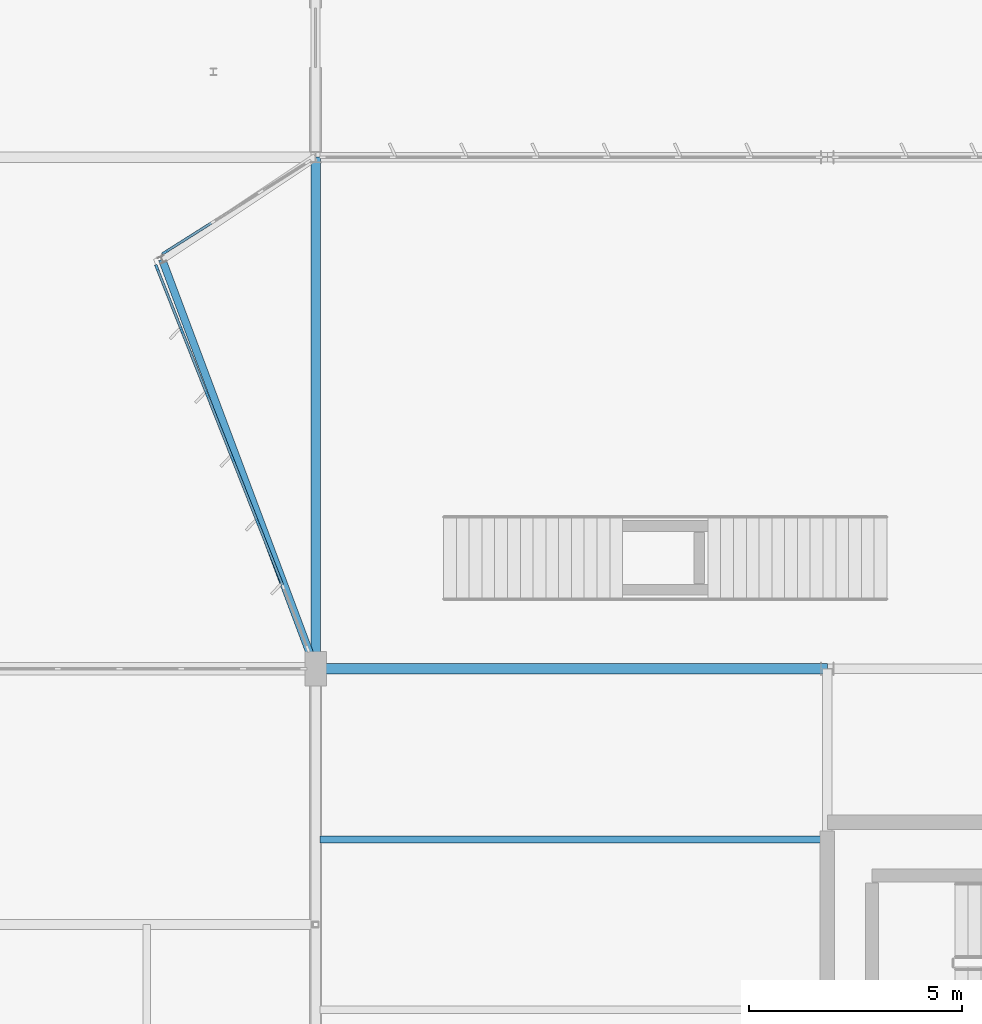
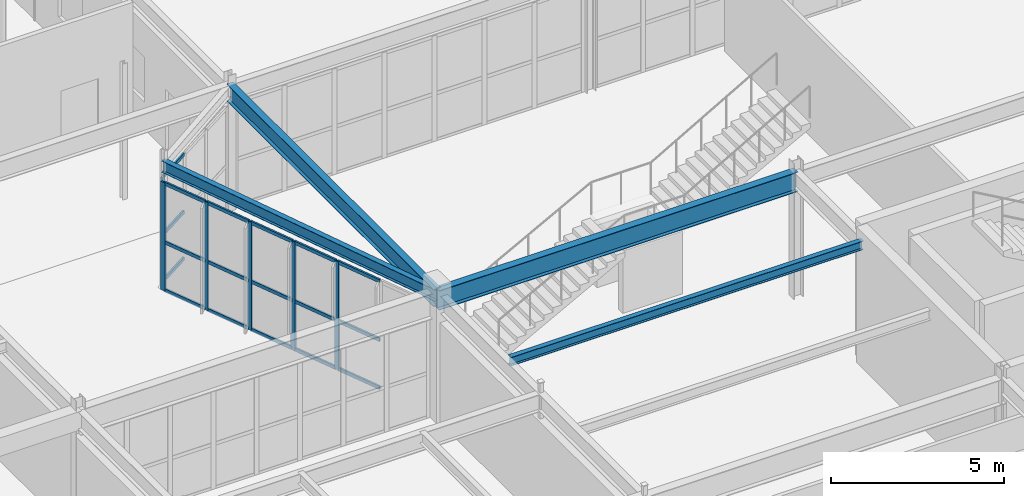
# One storey, part 93 of 199: 24 members, 4 beams, 2 elements without a shape of their own.
"""IFC4 building model written with IfcOpenShell, lengths in metres."""

from ifc_helpers import new_model, si_unit, direction, frame, origin, origin_2d, place, context, subcontext, project, spatial, rectangle, i_section, extrude, material, layer, layer_set, material_profile, profile_set, type_object, element, aggregate, save


model = new_model("IFC4")

# Units and contexts
model_context = context("Model", 3, precision=1e-05, world=origin(), true_north=direction((0.0, 1.0)))
body_context = subcontext(model_context, "Body", "Model", "MODEL_VIEW")
ifc_project = project(units=[si_unit("LENGTHUNIT", "METRE"), si_unit("AREAUNIT", "SQUARE_METRE"), si_unit("VOLUMEUNIT", "CUBIC_METRE"), si_unit("PLANEANGLEUNIT", "RADIAN"), si_unit("MASSUNIT", "GRAM", prefix="KILO")], contexts=[model_context])

# Site, building, storey
site_placement = place(None, origin())
site = spatial("IfcSite", under=ifc_project, at=site_placement, CompositionType="ELEMENT")
building_placement = place(site_placement, origin())
building = spatial("IfcBuilding", under=site, at=building_placement, Name="Tarnwether General Hospital", CompositionType="ELEMENT")
storey_placement = place(building_placement, origin())
storey = spatial("IfcBuildingStorey", under=building, at=storey_placement, Name="L00", CompositionType="ELEMENT", Elevation=0.0)

# Beams
ifc_material_1 = material(Name="Steel Grade 350 (350 MPa)", Category="steel")
ifc_material_profile_1 = material_profile(ifc_material_1, i_section(OverallWidth=0.25, OverallDepth=0.69189453125, WebThickness=0.009033203125, FlangeThickness=0.01611328125, at=origin_2d()), Name="700WB115")
ifc_profile_set_1 = profile_set([ifc_material_profile_1], Name="Steel Grade 350 (350 MPa)")
beam_type_1 = type_object("IfcBeamType", Name="BM-G02", PredefinedType="BEAM", material=ifc_profile_set_1)
beam_1_placement = place(storey_placement, frame((144.0, 33.60009765625, 4.09912109375), z_axis=(1.0, 0.0, 0.0), x_axis=(0.0, 1.0, 0.0)))
element("IfcBeam", 1, at=beam_1_placement, inside=storey, type_object=beam_type_1, Name="Primary Girder BMG-L00-14400_3360-15600_3360-0790", PredefinedType="BEAM", context=body_context, shape_type="SweptSolid", body=[
    extrude(i_section(OverallWidth=0.25, OverallDepth=0.69189453125, WebThickness=0.009033203125, FlangeThickness=0.01611328125, at=origin_2d()), origin(), (0.0, 0.0, 1.0), 12.0),
])
ifc_material_2 = material(Name="Steel Grade 350 (350 MPa)", Category="steel")
ifc_material_profile_2 = material_profile(ifc_material_2, i_section(OverallWidth=0.22802734375, OverallDepth=0.60205078125, WebThickness=0.010498046875, FlangeThickness=0.014892578125, at=origin_2d()), Name="610UB101")
ifc_profile_set_2 = profile_set([ifc_material_profile_2], Name="Steel Grade 350 (350 MPa)")
beam_type_2 = type_object("IfcBeamType", Name="BM-G05", PredefinedType="BEAM", material=ifc_profile_set_2)
beam_2_placement = place(storey_placement, frame((144.0, 33.60009765625, 4.14404296875), z_axis=(0.0, 1.0, 0.0), x_axis=(-1.0, 0.0, 0.0)))
element("IfcBeam", 2, at=beam_2_placement, inside=storey, type_object=beam_type_2, Name="Primary Girder BMG-L00-14400_3360-14400_4560-0791", PredefinedType="BEAM", context=body_context, shape_type="SweptSolid", body=[
    extrude(i_section(OverallWidth=0.22802734375, OverallDepth=0.60205078125, WebThickness=0.010498046875, FlangeThickness=0.014892578125, at=origin_2d()), origin(), (0.0, 0.0, 1.0), 12.0),
])
ifc_material_3 = material(Name="Steel Grade 350 (350 MPa)", Category="steel")
ifc_material_profile_3 = material_profile(ifc_material_3, i_section(OverallWidth=0.166015625, OverallDepth=0.306884765625, WebThickness=0.006591796875, FlangeThickness=0.01171875, at=origin_2d()), Name="310UB46.2")
ifc_profile_set_3 = profile_set([ifc_material_profile_3], Name="Steel Grade 350 (350 MPa)")
beam_type_3 = type_object("IfcBeamType", Name="BM-J05", PredefinedType="JOIST", material=ifc_profile_set_3)
beam_3_placement = place(storey_placement, frame((144.10791015625, 29.60009765625, 4.29150390625), z_axis=(1.0, 0.0, 0.0), x_axis=(0.0, 1.0, 0.0)))
element("IfcBeam", 3, at=beam_3_placement, inside=storey, type_object=beam_type_3, Name="Composite Floor Joist BMG-L00-14411_2960-15589_2960-1002", PredefinedType="JOIST", context=body_context, shape_type="SweptSolid", body=[
    extrude(i_section(OverallWidth=0.166015625, OverallDepth=0.306884765625, WebThickness=0.006591796875, FlangeThickness=0.01171875, at=origin_2d()), origin(), (0.0, 0.0, 1.0), 11.7841796875),
])
ifc_material_4 = material(Name="Steel Grade 350 (350 MPa)", Category="steel")
ifc_material_profile_4 = material_profile(ifc_material_4, i_section(OverallWidth=0.177978515625, OverallDepth=0.403076171875, WebThickness=0.007568359375, FlangeThickness=0.010986328125, at=origin_2d()), Name="410UB53.7")
ifc_profile_set_4 = profile_set([ifc_material_profile_4], Name="Steel Grade 350 (350 MPa)")
beam_type_4 = type_object("IfcBeamType", Name="BM-SP2", PredefinedType="SPANDREL", material=ifc_profile_set_4)
beam_4_placement = place(storey_placement, frame((144.0, 33.60009765625, 4.243408203125), z_axis=(-0.351136489402, 0.936324284535, 0.0), x_axis=(-0.936324284535, -0.351136489402, 0.0)))
element("IfcBeam", 4, at=beam_4_placement, inside=storey, type_object=beam_type_4, Name="Forecourt South Shard Girder BMG-L00-14400_3360-14040_4320-2224", PredefinedType="SPANDREL", context=body_context, shape_type="SweptSolid", body=[
    extrude(i_section(OverallWidth=0.177978515625, OverallDepth=0.403076171875, WebThickness=0.007568359375, FlangeThickness=0.010986328125, at=origin_2d()), origin(), (0.0, 0.0, 1.0), 10.252685546875),
])

# Curtain wall, members
ifc_material_5 = material(Name="Anodised aluminium", Category="aluminium")
ifc_layer = layer(ifc_material_5, 0.159912109375)
ifc_layer_set = layer_set([ifc_layer], Name="Anodised aluminium")
curtain_wall_type = type_object("IfcCurtainWallType", Name="CW-20", PredefinedType="NOTDEFINED", material=ifc_layer_set)
curtain_wall_1_placement = place(storey_placement, origin())
curtain_wall_1 = element("IfcCurtainWall", 5, at=curtain_wall_1_placement, inside=storey, type_object=curtain_wall_type, Name="Curtain Wall CWG-L00-1438_340-0294", PredefinedType="NOTDEFINED")
ifc_material_6 = material(Name="Anodised aluminium", Category="aluminium")
ifc_material_profile_5 = material_profile(ifc_material_6, rectangle(XDim=0.06005859375, YDim=0.159912109375, at=origin_2d()), Name="ALU-MUL-60x160")
ifc_profile_set_5 = profile_set([ifc_material_profile_5], Name="Anodised aluminium")
member_type_1 = type_object("IfcMemberType", Name="CW-ML1", PredefinedType="MULLION", material=ifc_profile_set_5)
member_1_placement = place(storey_placement, frame((142.639892578125, 37.035400390625, 0.0), z_axis=(0.0, 0.0, 1.0), x_axis=(-0.929811775217, -0.36803540953, 0.0)))
member_1 = element("IfcMember", 6, at=member_1_placement, type_object=member_type_1, Name="CW-20 mullion 3", PredefinedType="MULLION", context=body_context, shape_type="SweptSolid", body=[
    extrude(rectangle(XDim=0.06005859375, YDim=0.159912109375, at=origin_2d()), origin(), (0.0, 0.0, 1.0), 3.827880859375),
])
member_2_placement = place(storey_placement, frame((142.047119140625, 38.533447265625, 0.0), z_axis=(0.0, 0.0, 1.0), x_axis=(-0.929811775217, -0.36803540953, 0.0)))
member_2 = element("IfcMember", 7, at=member_2_placement, type_object=member_type_1, Name="CW-20 mullion 4", PredefinedType="MULLION", context=body_context, shape_type="SweptSolid", body=[
    extrude(rectangle(XDim=0.06005859375, YDim=0.159912109375, at=origin_2d()), origin(), (0.0, 0.0, 1.0), 3.827880859375),
])
member_3_placement = place(storey_placement, frame((141.4541015625, 40.03173828125, 0.0), z_axis=(0.0, 0.0, 1.0), x_axis=(-0.929811775217, -0.36803540953, 0.0)))
member_3 = element("IfcMember", 8, at=member_3_placement, type_object=member_type_1, Name="CW-20 mullion 5", PredefinedType="MULLION", context=body_context, shape_type="SweptSolid", body=[
    extrude(rectangle(XDim=0.06005859375, YDim=0.159912109375, at=origin_2d()), origin(), (0.0, 0.0, 1.0), 3.827880859375),
])
member_4_placement = place(storey_placement, frame((140.861083984375, 41.52978515625, 0.0), z_axis=(0.0, 0.0, 1.0), x_axis=(-0.929811775217, -0.36803540953, 0.0)))
member_4 = element("IfcMember", 9, at=member_4_placement, type_object=member_type_1, Name="CW-20 mullion 6", PredefinedType="MULLION", context=body_context, shape_type="SweptSolid", body=[
    extrude(rectangle(XDim=0.06005859375, YDim=0.159912109375, at=origin_2d()), origin(), (0.0, 0.0, 1.0), 3.827880859375),
])
member_5_placement = place(storey_placement, frame((140.279052734375, 43.0, 0.0), z_axis=(0.0, 0.0, 1.0), x_axis=(-0.929811775217, -0.36803540953, 0.0)))
member_5 = element("IfcMember", 10, at=member_5_placement, type_object=member_type_1, Name="CW-20 mullion 7", PredefinedType="MULLION", context=body_context, shape_type="SweptSolid", body=[
    extrude(rectangle(XDim=0.06005859375, YDim=0.159912109375, at=origin_2d()), origin(), (0.0, 0.0, 1.0), 3.827880859375),
])

# Curtain wall, member
curtain_wall_2_placement = place(storey_placement, origin())
curtain_wall_2 = element("IfcCurtainWall", 11, at=curtain_wall_2_placement, inside=storey, type_object=curtain_wall_type, Name="Curtain Wall CWG-L00-1404_434-0295", PredefinedType="NOTDEFINED")
member_6_placement = place(storey_placement, frame((140.46630859375, 43.367919921875, 0.0), z_axis=(0.0, 0.0, 1.0), x_axis=(-0.534011681059, 0.84547709874, 0.0)))
member_6 = element("IfcMember", 12, at=member_6_placement, type_object=member_type_1, Name="CW-20 mullion 1", PredefinedType="MULLION", context=body_context, shape_type="SweptSolid", body=[
    extrude(rectangle(XDim=0.06005859375, YDim=0.159912109375, at=origin_2d()), origin(), (0.0, 0.0, 1.0), 3.738037109375),
])

# Member
ifc_material_7 = material(Name="Anodised aluminium", Category="aluminium")
ifc_material_profile_6 = material_profile(ifc_material_7, rectangle(XDim=0.06005859375, YDim=0.1201171875, at=origin_2d()), Name="ALU-TRN-60x120")
ifc_profile_set_6 = profile_set([ifc_material_profile_6], Name="Anodised aluminium")
member_type_2 = type_object("IfcMemberType", Name="CW-TR1", PredefinedType="USERDEFINED", material=ifc_profile_set_6)
member_7_placement = place(storey_placement, frame((143.221923828125, 35.56494140625, 0.030029296875), z_axis=(-0.367969077383, 0.929838027879, 0.0), x_axis=(-0.929838027879, -0.367969077383, 0.0)))
member_7 = element("IfcMember", 13, at=member_7_placement, type_object=member_type_2, Name="CW-20 transom 2.1", ObjectType="TRANSOM", PredefinedType="USERDEFINED", context=body_context, shape_type="SweptSolid", body=[
    extrude(rectangle(XDim=0.06005859375, YDim=0.1201171875, at=origin_2d()), origin(), (0.0, 0.0, 1.0), 1.55126953125),
])

member_8_placement = place(storey_placement, frame((143.221923828125, 35.56494140625, 1.72265625), z_axis=(-0.367969077383, 0.929838027879, 0.0), x_axis=(-0.929838027879, -0.367969077383, 0.0)))
member_8 = element("IfcMember", 14, at=member_8_placement, type_object=member_type_2, Name="CW-20 transom 2.2", ObjectType="TRANSOM", PredefinedType="USERDEFINED", context=body_context, shape_type="SweptSolid", body=[
    extrude(rectangle(XDim=0.06005859375, YDim=0.1201171875, at=origin_2d()), origin(), (0.0, 0.0, 1.0), 1.55126953125),
])

member_9_placement = place(storey_placement, frame((143.221923828125, 35.56494140625, 3.798095703125), z_axis=(-0.367969077383, 0.929838027879, 0.0), x_axis=(-0.929838027879, -0.367969077383, 0.0)))
member_9 = element("IfcMember", 15, at=member_9_placement, type_object=member_type_2, Name="CW-20 transom 2.3", ObjectType="TRANSOM", PredefinedType="USERDEFINED", context=body_context, shape_type="SweptSolid", body=[
    extrude(rectangle(XDim=0.06005859375, YDim=0.1201171875, at=origin_2d()), origin(), (0.0, 0.0, 1.0), 1.55126953125),
])

member_10_placement = place(storey_placement, frame((142.62890625, 37.063232421875, 0.030029296875), z_axis=(-0.367969077383, 0.929838027879, 0.0), x_axis=(-0.929838027879, -0.367969077383, 0.0)))
member_10 = element("IfcMember", 16, at=member_10_placement, type_object=member_type_2, Name="CW-20 transom 3.1", ObjectType="TRANSOM", PredefinedType="USERDEFINED", context=body_context, shape_type="SweptSolid", body=[
    extrude(rectangle(XDim=0.06005859375, YDim=0.1201171875, at=origin_2d()), origin(), (0.0, 0.0, 1.0), 1.55126953125),
])

member_11_placement = place(storey_placement, frame((142.62890625, 37.063232421875, 1.72265625), z_axis=(-0.367969077383, 0.929838027879, 0.0), x_axis=(-0.929838027879, -0.367969077383, 0.0)))
member_11 = element("IfcMember", 17, at=member_11_placement, type_object=member_type_2, Name="CW-20 transom 3.2", ObjectType="TRANSOM", PredefinedType="USERDEFINED", context=body_context, shape_type="SweptSolid", body=[
    extrude(rectangle(XDim=0.06005859375, YDim=0.1201171875, at=origin_2d()), origin(), (0.0, 0.0, 1.0), 1.55126953125),
])

member_12_placement = place(storey_placement, frame((142.62890625, 37.063232421875, 3.798095703125), z_axis=(-0.367969077383, 0.929838027879, 0.0), x_axis=(-0.929838027879, -0.367969077383, 0.0)))
member_12 = element("IfcMember", 18, at=member_12_placement, type_object=member_type_2, Name="CW-20 transom 3.3", ObjectType="TRANSOM", PredefinedType="USERDEFINED", context=body_context, shape_type="SweptSolid", body=[
    extrude(rectangle(XDim=0.06005859375, YDim=0.1201171875, at=origin_2d()), origin(), (0.0, 0.0, 1.0), 1.55126953125),
])

member_13_placement = place(storey_placement, frame((142.035888671875, 38.561279296875, 0.030029296875), z_axis=(-0.367969077383, 0.929838027879, 0.0), x_axis=(-0.929838027879, -0.367969077383, 0.0)))
member_13 = element("IfcMember", 19, at=member_13_placement, type_object=member_type_2, Name="CW-20 transom 4.1", ObjectType="TRANSOM", PredefinedType="USERDEFINED", context=body_context, shape_type="SweptSolid", body=[
    extrude(rectangle(XDim=0.06005859375, YDim=0.1201171875, at=origin_2d()), origin(), (0.0, 0.0, 1.0), 1.55126953125),
])

member_14_placement = place(storey_placement, frame((142.035888671875, 38.561279296875, 1.72265625), z_axis=(-0.367969077383, 0.929838027879, 0.0), x_axis=(-0.929838027879, -0.367969077383, 0.0)))
member_14 = element("IfcMember", 20, at=member_14_placement, type_object=member_type_2, Name="CW-20 transom 4.2", ObjectType="TRANSOM", PredefinedType="USERDEFINED", context=body_context, shape_type="SweptSolid", body=[
    extrude(rectangle(XDim=0.06005859375, YDim=0.1201171875, at=origin_2d()), origin(), (0.0, 0.0, 1.0), 1.55126953125),
])

member_15_placement = place(storey_placement, frame((142.035888671875, 38.561279296875, 3.798095703125), z_axis=(-0.367969077383, 0.929838027879, 0.0), x_axis=(-0.929838027879, -0.367969077383, 0.0)))
member_15 = element("IfcMember", 21, at=member_15_placement, type_object=member_type_2, Name="CW-20 transom 4.3", ObjectType="TRANSOM", PredefinedType="USERDEFINED", context=body_context, shape_type="SweptSolid", body=[
    extrude(rectangle(XDim=0.06005859375, YDim=0.1201171875, at=origin_2d()), origin(), (0.0, 0.0, 1.0), 1.55126953125),
])

member_16_placement = place(storey_placement, frame((141.44287109375, 40.0595703125, 0.030029296875), z_axis=(-0.367969077383, 0.929838027879, 0.0), x_axis=(-0.929838027879, -0.367969077383, 0.0)))
member_16 = element("IfcMember", 22, at=member_16_placement, type_object=member_type_2, Name="CW-20 transom 5.1", ObjectType="TRANSOM", PredefinedType="USERDEFINED", context=body_context, shape_type="SweptSolid", body=[
    extrude(rectangle(XDim=0.06005859375, YDim=0.1201171875, at=origin_2d()), origin(), (0.0, 0.0, 1.0), 1.55126953125),
])

member_17_placement = place(storey_placement, frame((141.44287109375, 40.0595703125, 1.72265625), z_axis=(-0.367969077383, 0.929838027879, 0.0), x_axis=(-0.929838027879, -0.367969077383, 0.0)))
member_17 = element("IfcMember", 23, at=member_17_placement, type_object=member_type_2, Name="CW-20 transom 5.2", ObjectType="TRANSOM", PredefinedType="USERDEFINED", context=body_context, shape_type="SweptSolid", body=[
    extrude(rectangle(XDim=0.06005859375, YDim=0.1201171875, at=origin_2d()), origin(), (0.0, 0.0, 1.0), 1.55126953125),
])

member_18_placement = place(storey_placement, frame((141.44287109375, 40.0595703125, 3.798095703125), z_axis=(-0.367969077383, 0.929838027879, 0.0), x_axis=(-0.929838027879, -0.367969077383, 0.0)))
member_18 = element("IfcMember", 24, at=member_18_placement, type_object=member_type_2, Name="CW-20 transom 5.3", ObjectType="TRANSOM", PredefinedType="USERDEFINED", context=body_context, shape_type="SweptSolid", body=[
    extrude(rectangle(XDim=0.06005859375, YDim=0.1201171875, at=origin_2d()), origin(), (0.0, 0.0, 1.0), 1.55126953125),
])

member_19_placement = place(storey_placement, frame((140.849853515625, 41.5576171875, 0.030029296875), z_axis=(-0.367984859594, 0.929831782157, 0.0), x_axis=(-0.929831782157, -0.367984859594, 0.0)))
member_19 = element("IfcMember", 25, at=member_19_placement, type_object=member_type_2, Name="CW-20 transom 6.1", ObjectType="TRANSOM", PredefinedType="USERDEFINED", context=body_context, shape_type="SweptSolid", body=[
    extrude(rectangle(XDim=0.06005859375, YDim=0.1201171875, at=origin_2d()), origin(), (0.0, 0.0, 1.0), 1.521240234375),
])

member_20_placement = place(storey_placement, frame((140.849853515625, 41.5576171875, 1.72265625), z_axis=(-0.367984859594, 0.929831782157, 0.0), x_axis=(-0.929831782157, -0.367984859594, 0.0)))
member_20 = element("IfcMember", 26, at=member_20_placement, type_object=member_type_2, Name="CW-20 transom 6.2", ObjectType="TRANSOM", PredefinedType="USERDEFINED", context=body_context, shape_type="SweptSolid", body=[
    extrude(rectangle(XDim=0.06005859375, YDim=0.1201171875, at=origin_2d()), origin(), (0.0, 0.0, 1.0), 1.521240234375),
])

member_21_placement = place(storey_placement, frame((140.849853515625, 41.5576171875, 3.798095703125), z_axis=(-0.367984859594, 0.929831782157, 0.0), x_axis=(-0.929831782157, -0.367984859594, 0.0)))
member_21 = element("IfcMember", 27, at=member_21_placement, type_object=member_type_2, Name="CW-20 transom 6.3", ObjectType="TRANSOM", PredefinedType="USERDEFINED", context=body_context, shape_type="SweptSolid", body=[
    extrude(rectangle(XDim=0.06005859375, YDim=0.1201171875, at=origin_2d()), origin(), (0.0, 0.0, 1.0), 1.521240234375),
])

aggregate(curtain_wall_1, [member_1, member_2, member_3, member_4, member_5, member_7, member_8, member_9, member_10, member_11, member_12, member_13, member_14, member_15, member_16, member_17, member_18, member_19, member_20, member_21])

member_22_placement = place(storey_placement, frame((140.49169921875, 43.384033203125, 0.030029296875), z_axis=(0.845447201073, 0.534059013778, 0.0), x_axis=(-0.534059013778, 0.845447201073, 0.0)))
member_22 = element("IfcMember", 28, at=member_22_placement, type_object=member_type_2, Name="CW-20 transom 1.1", ObjectType="TRANSOM", PredefinedType="USERDEFINED", context=body_context, shape_type="SweptSolid", body=[
    extrude(rectangle(XDim=0.06005859375, YDim=0.1201171875, at=origin_2d()), origin(), (0.0, 0.0, 1.0), 1.252197265625),
])

member_23_placement = place(storey_placement, frame((140.49169921875, 43.384033203125, 1.68212890625), z_axis=(0.845447201073, 0.534059013778, 0.0), x_axis=(-0.534059013778, 0.845447201073, 0.0)))
member_23 = element("IfcMember", 29, at=member_23_placement, type_object=member_type_2, Name="CW-20 transom 1.2", ObjectType="TRANSOM", PredefinedType="USERDEFINED", context=body_context, shape_type="SweptSolid", body=[
    extrude(rectangle(XDim=0.06005859375, YDim=0.1201171875, at=origin_2d()), origin(), (0.0, 0.0, 1.0), 1.252197265625),
])

member_24_placement = place(storey_placement, frame((140.49169921875, 43.384033203125, 3.7080078125), z_axis=(0.845447201073, 0.534059013778, 0.0), x_axis=(-0.534059013778, 0.845447201073, 0.0)))
member_24 = element("IfcMember", 30, at=member_24_placement, type_object=member_type_2, Name="CW-20 transom 1.3", ObjectType="TRANSOM", PredefinedType="USERDEFINED", context=body_context, shape_type="SweptSolid", body=[
    extrude(rectangle(XDim=0.06005859375, YDim=0.1201171875, at=origin_2d()), origin(), (0.0, 0.0, 1.0), 1.252197265625),
])

aggregate(curtain_wall_2, [member_6, member_22, member_23, member_24])

save(model, "model.ifc")
